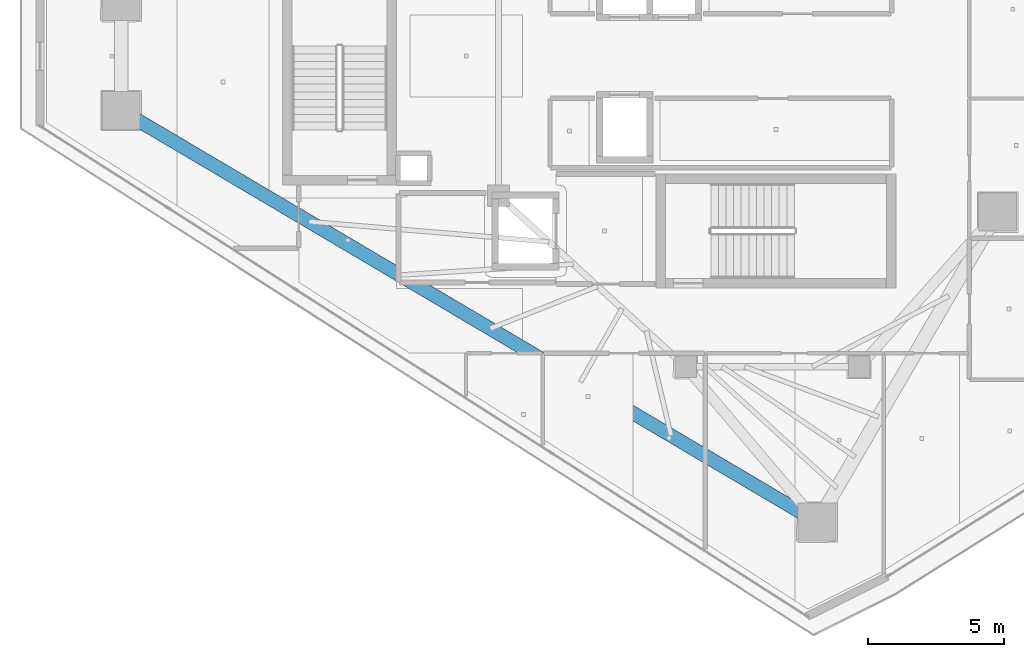
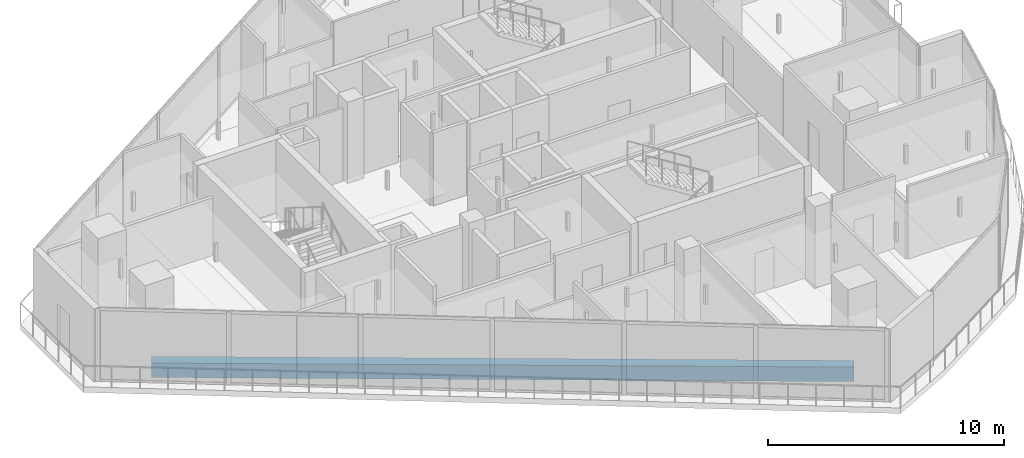
# One storey, part 3 of 26: 1 beam.
"""IFC4 building model written with IfcOpenShell, lengths in metres."""

from ifc_helpers import new_model, si_unit, direction, frame, origin, origin_2d, place, context, subcontext, project, spatial, rectangle, extrude, material, material_profile, profile_set, type_object, element, save


model = new_model("IFC4")

# Units and contexts
model_context = context("Model", 3, precision=1e-05, world=origin(), true_north=direction((0.0, 1.0)))
body_context = subcontext(model_context, "Body", "Model", "MODEL_VIEW")
ifc_project = project(units=[si_unit("LENGTHUNIT", "METRE"), si_unit("AREAUNIT", "SQUARE_METRE"), si_unit("VOLUMEUNIT", "CUBIC_METRE"), si_unit("PLANEANGLEUNIT", "RADIAN"), si_unit("MASSUNIT", "GRAM", prefix="KILO")], contexts=[model_context])

# Site, building, storey
site_placement = place(None, origin())
site = spatial("IfcSite", under=ifc_project, at=site_placement, CompositionType="ELEMENT")
building_placement = place(site_placement, origin())
building = spatial("IfcBuilding", under=site, at=building_placement, Name="Qorvath Tower", CompositionType="ELEMENT")
storey_placement = place(building_placement, frame((0.0, 0.0, 322.800048828125)))
storey = spatial("IfcBuildingStorey", under=building, at=storey_placement, Name="L75", CompositionType="ELEMENT", Elevation=322.800048828125)

# Beam
ifc_material = material(Name="Concrete C45/55", Category="concrete")
ifc_material_profile = material_profile(ifc_material, rectangle(XDim=0.5, YDim=0.75, at=origin_2d()), Name="RCB 750x500")
ifc_profile_set = profile_set([ifc_material_profile], Name="Concrete C45/55")
beam_type = type_object("IfcBeamType", Name="BM-RCB3", PredefinedType="SPANDREL", material=ifc_profile_set)
beam_placement = place(storey_placement, frame((-44.402587890625, -2.007568359375, -0.6650390625), z_axis=(0.860780849348, -0.508975765038, 0.0), x_axis=(0.508975765038, 0.860780849348, 0.0)))
element("IfcBeam", 1, at=beam_placement, inside=storey, type_object=beam_type, Name="Perimeter Loggia Frame Beam MC2-MC3 L75", PredefinedType="SPANDREL", context=body_context, shape_type="SweptSolid", body=[
    extrude(rectangle(XDim=0.5, YDim=0.75, at=origin_2d()), origin(), (0.0, 0.0, 1.0), 29.801025390625),
])

save(model, "model.ifc")
